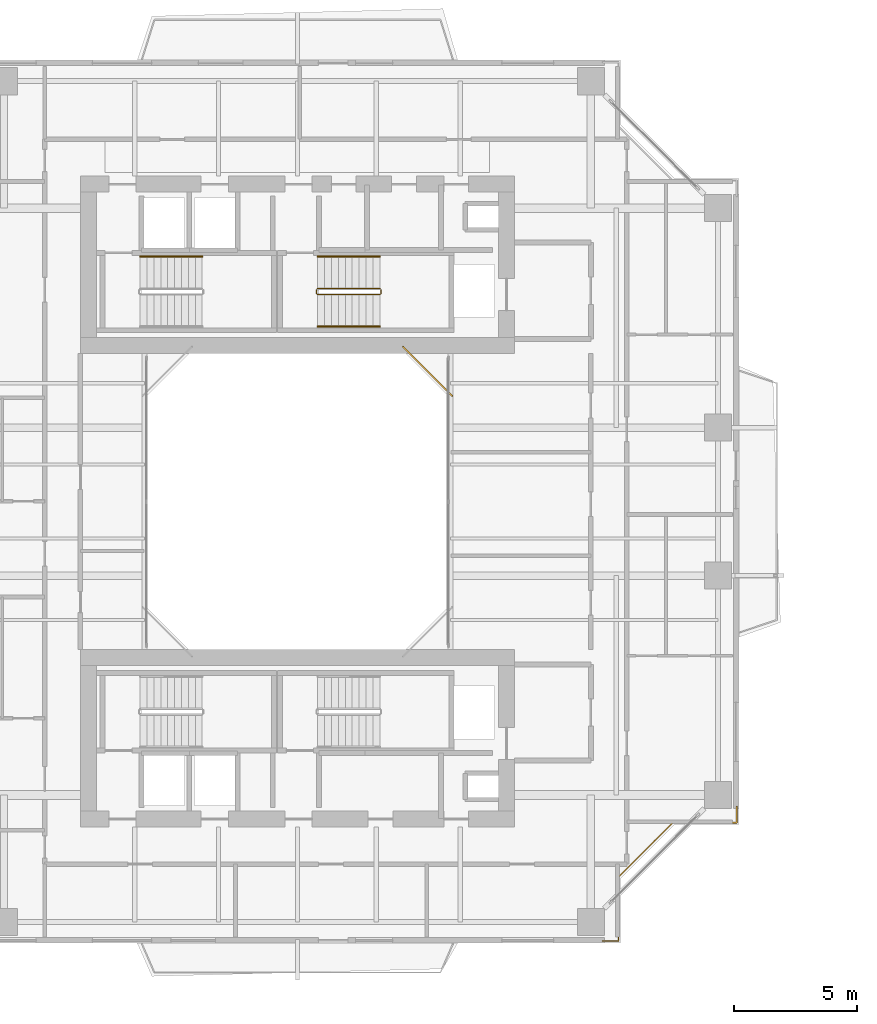
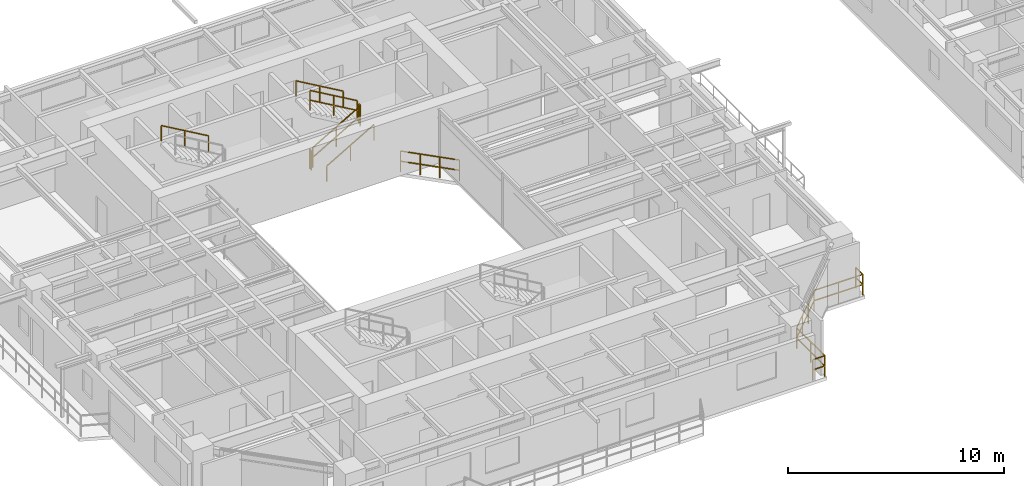
# One storey, part 22 of 24: 9 railings.
"""IFC4 building model written with IfcOpenShell, lengths in metres."""

from ifc_helpers import new_model, si_unit, direction, frame, origin, origin_2d, place, context, subcontext, project, spatial, rectangle, extrude, material, type_object, element, save


model = new_model("IFC4")

# Units and contexts
model_context = context("Model", 3, precision=1e-05, world=origin(), true_north=direction((0.0, 1.0)))
body_context = subcontext(model_context, "Body", "Model", "MODEL_VIEW")
ifc_project = project(units=[si_unit("LENGTHUNIT", "METRE"), si_unit("AREAUNIT", "SQUARE_METRE"), si_unit("VOLUMEUNIT", "CUBIC_METRE"), si_unit("PLANEANGLEUNIT", "RADIAN"), si_unit("MASSUNIT", "GRAM", prefix="KILO"), si_unit("THERMODYNAMICTEMPERATUREUNIT", "KELVIN"), si_unit("POWERUNIT", "WATT")], contexts=[model_context])

# Site, building, storey
site_placement = place(None, origin())
site = spatial("IfcSite", under=ifc_project, at=site_placement, CompositionType="ELEMENT")
building_placement = place(site_placement, origin())
building = spatial("IfcBuilding", under=site, at=building_placement, Name="Qiaomeng Ring Towers", CompositionType="ELEMENT")
storey_placement = place(building_placement, frame((0.0, 0.0, 106.75)))
storey = spatial("IfcBuildingStorey", under=building, at=storey_placement, Name="L30", CompositionType="ELEMENT", Elevation=106.75)

# Railings
ifc_material_1 = material(Name="Low-E pale-green laminated safety glass", Category="glass")
railing_type_1 = type_object("IfcRailingType", Name="ARC-RL-BAL1", PredefinedType="BALUSTRADE", material=ifc_material_1)
railing_1_placement = place(storey_placement, frame((25.280029296875, 27.280029296875, 0.0)))
element("IfcRailing", 1, at=railing_1_placement, inside=storey, type_object=railing_type_1, Name="L30 Balustrade ARC-BAL-WELL1-L30-2", PredefinedType="BALUSTRADE", context=body_context, shape_type="SweptSolid", body=[
    extrude(rectangle(XDim=0.048095703125, YDim=0.048095703125, at=origin_2d()), frame((0.0, 0.0, 1.17578125), z_axis=(-0.707106781187, 0.707106781187, 0.0), x_axis=(-0.707106781187, -0.707106781187, 0.0)), (0.0, 0.0, 1.0), 2.828369140625),
    extrude(rectangle(XDim=0.048095703125, YDim=0.048095703125, at=origin_2d()), frame((0.0, 0.0, 0.60009765625), z_axis=(-0.707106781187, 0.707106781187, 0.0), x_axis=(-0.707106781187, -0.707106781187, 0.0)), (0.0, 0.0, 1.0), 2.828369140625),
    extrude(rectangle(XDim=0.0419921875, YDim=0.0419921875, at=origin_2d()), origin(), (0.0, 0.0, 1.0), 1.15185546875),
    extrude(rectangle(XDim=0.0419921875, YDim=0.0419921875, at=origin_2d()), frame((-0.666748046875, 0.666748046875, 0.0)), (0.0, 0.0, 1.0), 1.15185546875),
    extrude(rectangle(XDim=0.0419921875, YDim=0.0419921875, at=origin_2d()), frame((-1.333251953125, 1.333251953125, 0.0)), (0.0, 0.0, 1.0), 1.15185546875),
    extrude(rectangle(XDim=0.0419921875, YDim=0.0419921875, at=origin_2d()), frame((-2.0, 2.0, 0.0)), (0.0, 0.0, 1.0), 1.15185546875),
])
railing_2_placement = place(storey_placement, frame((31.3701171875, 5.179931640625, 0.0)))
element("IfcRailing", 2, at=railing_2_placement, inside=storey, type_object=railing_type_1, Name="L30 Balustrade ARC-BAL-NOTCH1-L30-SE", PredefinedType="BALUSTRADE", context=body_context, shape_type="SweptSolid", body=[
    extrude(rectangle(XDim=0.048095703125, YDim=0.048095703125, at=origin_2d()), frame((0.0, 0.0, 1.17578125), z_axis=(1.0, 0.0, 0.0), x_axis=(0.0, 1.0, 0.0)), (0.0, 0.0, 1.0), 0.64990234375),
    extrude(rectangle(XDim=0.048095703125, YDim=0.048095703125, at=origin_2d()), frame((0.0, 0.0, 0.60009765625), z_axis=(1.0, 0.0, 0.0), x_axis=(0.0, 1.0, 0.0)), (0.0, 0.0, 1.0), 0.64990234375),
    extrude(rectangle(XDim=0.048095703125, YDim=0.048095703125, at=origin_2d()), frame((0.64990234375, 0.0, 1.17578125), z_axis=(0.0, 1.0, 0.0), x_axis=(-1.0, 0.0, 0.0)), (0.0, 0.0, 1.0), 2.60009765625),
    extrude(rectangle(XDim=0.048095703125, YDim=0.048095703125, at=origin_2d()), frame((0.64990234375, 0.0, 0.60009765625), z_axis=(0.0, 1.0, 0.0), x_axis=(-1.0, 0.0, 0.0)), (0.0, 0.0, 1.0), 2.60009765625),
    extrude(rectangle(XDim=0.048095703125, YDim=0.048095703125, at=origin_2d()), frame((0.64990234375, 2.60009765625, 1.17578125), z_axis=(0.707106781187, 0.707106781187, 0.0), x_axis=(-0.707106781187, 0.707106781187, 0.0)), (0.0, 0.0, 1.0), 3.111083984375),
    extrude(rectangle(XDim=0.048095703125, YDim=0.048095703125, at=origin_2d()), frame((0.64990234375, 2.60009765625, 0.60009765625), z_axis=(0.707106781187, 0.707106781187, 0.0), x_axis=(-0.707106781187, 0.707106781187, 0.0)), (0.0, 0.0, 1.0), 3.111083984375),
    extrude(rectangle(XDim=0.048095703125, YDim=0.048095703125, at=origin_2d()), frame((2.849853515625, 4.800048828125, 1.17578125), z_axis=(1.0, 0.0, 0.0), x_axis=(0.0, 1.0, 0.0)), (0.0, 0.0, 1.0), 2.60009765625),
    extrude(rectangle(XDim=0.048095703125, YDim=0.048095703125, at=origin_2d()), frame((2.849853515625, 4.800048828125, 0.60009765625), z_axis=(1.0, 0.0, 0.0), x_axis=(0.0, 1.0, 0.0)), (0.0, 0.0, 1.0), 2.60009765625),
    extrude(rectangle(XDim=0.048095703125, YDim=0.048095703125, at=origin_2d()), frame((5.449951171875, 4.800048828125, 1.17578125), z_axis=(0.0, 1.0, 0.0), x_axis=(-1.0, 0.0, 0.0)), (0.0, 0.0, 1.0), 0.64990234375),
    extrude(rectangle(XDim=0.048095703125, YDim=0.048095703125, at=origin_2d()), frame((5.449951171875, 4.800048828125, 0.60009765625), z_axis=(0.0, 1.0, 0.0), x_axis=(-1.0, 0.0, 0.0)), (0.0, 0.0, 1.0), 0.64990234375),
    extrude(rectangle(XDim=0.0419921875, YDim=0.0419921875, at=origin_2d()), origin(), (0.0, 0.0, 1.0), 1.15185546875),
    extrude(rectangle(XDim=0.0419921875, YDim=0.0419921875, at=origin_2d()), frame((0.64990234375, 0.0, 0.0)), (0.0, 0.0, 1.0), 1.15185546875),
    extrude(rectangle(XDim=0.0419921875, YDim=0.0419921875, at=origin_2d()), frame((0.64990234375, 1.300048828125, 0.0)), (0.0, 0.0, 1.0), 1.15185546875),
    extrude(rectangle(XDim=0.0419921875, YDim=0.0419921875, at=origin_2d()), frame((0.64990234375, 2.60009765625, 0.0)), (0.0, 0.0, 1.0), 1.15185546875),
    extrude(rectangle(XDim=0.0419921875, YDim=0.0419921875, at=origin_2d()), frame((1.38330078125, 3.33349609375, 0.0)), (0.0, 0.0, 1.0), 1.15185546875),
    extrude(rectangle(XDim=0.0419921875, YDim=0.0419921875, at=origin_2d()), frame((2.116455078125, 4.066650390625, 0.0)), (0.0, 0.0, 1.0), 1.15185546875),
    extrude(rectangle(XDim=0.0419921875, YDim=0.0419921875, at=origin_2d()), frame((2.849853515625, 4.800048828125, 0.0)), (0.0, 0.0, 1.0), 1.15185546875),
    extrude(rectangle(XDim=0.0419921875, YDim=0.0419921875, at=origin_2d()), frame((4.14990234375, 4.800048828125, 0.0)), (0.0, 0.0, 1.0), 1.15185546875),
    extrude(rectangle(XDim=0.0419921875, YDim=0.0419921875, at=origin_2d()), frame((5.449951171875, 4.800048828125, 0.0)), (0.0, 0.0, 1.0), 1.15185546875),
    extrude(rectangle(XDim=0.0419921875, YDim=0.0419921875, at=origin_2d()), frame((5.449951171875, 5.449951171875, 0.0)), (0.0, 0.0, 1.0), 1.15185546875),
])
ifc_material_2 = material(Name="Galvanised steel", Category="steel")
railing_type_2 = type_object("IfcRailingType", Name="ARC-RL-GUARD", PredefinedType="GUARDRAIL", material=ifc_material_2)
railing_3_placement = place(storey_placement, frame((19.820068359375, 31.39990234375, 0.16259765625)))
element("IfcRailing", 3, at=railing_3_placement, inside=storey, type_object=railing_type_2, Name="L30 ST2 stair guard 1", PredefinedType="GUARDRAIL", context=body_context, shape_type="SweptSolid", body=[
    extrude(rectangle(XDim=0.048095703125, YDim=0.048095703125, at=origin_2d()), frame((0.0, 0.0, 1.1259765625), z_axis=(0.864913338283, 0.0, 0.50192122615), x_axis=(0.0, 1.0, 0.0)), (0.0, 0.0, 1.0), 2.91357421875),
    extrude(rectangle(XDim=0.048095703125, YDim=0.048095703125, at=origin_2d()), frame((0.0, 0.0, 0.574951171875), z_axis=(0.864913338283, 0.0, 0.50192122615), x_axis=(0.0, 1.0, 0.0)), (0.0, 0.0, 1.0), 2.91357421875),
    extrude(rectangle(XDim=0.0419921875, YDim=0.0419921875, at=origin_2d()), origin(), (0.0, 0.0, 1.0), 1.101806640625),
    extrude(rectangle(XDim=0.0419921875, YDim=0.0419921875, at=origin_2d()), frame((1.260009765625, 0.0, 0.731201171875)), (0.0, 0.0, 1.0), 1.101806640625),
    extrude(rectangle(XDim=0.0419921875, YDim=0.0419921875, at=origin_2d()), frame((2.52001953125, 0.0, 1.46240234375)), (0.0, 0.0, 1.0), 1.101806640625),
])
railing_4_placement = place(storey_placement, frame((22.389892578125, 31.449951171875, 1.625)))
element("IfcRailing", 4, at=railing_4_placement, inside=storey, type_object=railing_type_2, Name="L30 ST2 stair guard 2", PredefinedType="GUARDRAIL", context=body_context, shape_type="SweptSolid", body=[
    extrude(rectangle(XDim=0.048095703125, YDim=0.048095703125, at=origin_2d()), frame((0.0, 0.0, 1.1259765625), z_axis=(0.0, 1.0, 0.0), x_axis=(-1.0, 0.0, 0.0)), (0.0, 0.0, 1.0), 0.14013671875),
    extrude(rectangle(XDim=0.048095703125, YDim=0.048095703125, at=origin_2d()), frame((0.0, 0.0, 0.574951171875), z_axis=(0.0, 1.0, 0.0), x_axis=(-1.0, 0.0, 0.0)), (0.0, 0.0, 1.0), 0.14013671875),
    extrude(rectangle(XDim=0.0419921875, YDim=0.0419921875, at=origin_2d()), origin(), (0.0, 0.0, 1.0), 1.101806640625),
    extrude(rectangle(XDim=0.0419921875, YDim=0.0419921875, at=origin_2d()), frame((0.0, 0.14013671875, 0.0)), (0.0, 0.0, 1.0), 1.101806640625),
])
railing_5_placement = place(storey_placement, frame((22.340087890625, 31.639892578125, 1.78759765625)))
element("IfcRailing", 5, at=railing_5_placement, inside=storey, type_object=railing_type_2, Name="L30 ST2 stair guard 3", PredefinedType="GUARDRAIL", context=body_context, shape_type="SweptSolid", body=[
    extrude(rectangle(XDim=0.048095703125, YDim=0.048095703125, at=origin_2d()), frame((0.0, 0.0, 1.1259765625), z_axis=(-0.864913338283, 0.0, 0.50192122615), x_axis=(0.0, -1.0, 0.0)), (0.0, 0.0, 1.0), 2.91357421875),
    extrude(rectangle(XDim=0.048095703125, YDim=0.048095703125, at=origin_2d()), frame((0.0, 0.0, 0.574951171875), z_axis=(-0.864913338283, 0.0, 0.50192122615), x_axis=(0.0, -1.0, 0.0)), (0.0, 0.0, 1.0), 2.91357421875),
    extrude(rectangle(XDim=0.0419921875, YDim=0.0419921875, at=origin_2d()), origin(), (0.0, 0.0, 1.0), 1.101806640625),
    extrude(rectangle(XDim=0.0419921875, YDim=0.0419921875, at=origin_2d()), frame((-1.260009765625, 0.0, 0.731201171875)), (0.0, 0.0, 1.0), 1.101806640625),
    extrude(rectangle(XDim=0.0419921875, YDim=0.0419921875, at=origin_2d()), frame((-2.52001953125, 0.0, 1.46240234375)), (0.0, 0.0, 1.0), 1.101806640625),
])
railing_6_placement = place(storey_placement, frame((19.77001953125, 31.449951171875, 0.0)))
element("IfcRailing", 6, at=railing_6_placement, inside=storey, type_object=railing_type_2, Name="L30 ST2 stair guard 4", PredefinedType="GUARDRAIL", context=body_context, shape_type="SweptSolid", body=[
    extrude(rectangle(XDim=0.048095703125, YDim=0.048095703125, at=origin_2d()), frame((0.0, 0.0, 1.1259765625), z_axis=(0.0, 1.0, 0.0), x_axis=(-1.0, 0.0, 0.0)), (0.0, 0.0, 1.0), 0.14013671875),
    extrude(rectangle(XDim=0.048095703125, YDim=0.048095703125, at=origin_2d()), frame((0.0, 0.0, 0.574951171875), z_axis=(0.0, 1.0, 0.0), x_axis=(-1.0, 0.0, 0.0)), (0.0, 0.0, 1.0), 0.14013671875),
    extrude(rectangle(XDim=0.0419921875, YDim=0.0419921875, at=origin_2d()), origin(), (0.0, 0.0, 1.0), 1.101806640625),
    extrude(rectangle(XDim=0.0419921875, YDim=0.0419921875, at=origin_2d()), frame((0.0, 0.14013671875, 0.0)), (0.0, 0.0, 1.0), 1.101806640625),
])
ifc_material_3 = material(Name="Stainless steel 316", Category="steel")
railing_type_3 = type_object("IfcRailingType", Name="ARC-RL-HAND", PredefinedType="HANDRAIL", material=ifc_material_3)
railing_7_placement = place(storey_placement, frame((15.139892578125, 32.93994140625, 1.78759765625)))
element("IfcRailing", 7, at=railing_7_placement, inside=storey, type_object=railing_type_3, Name="L30 ST1 stair handrail 2", PredefinedType="HANDRAIL", context=body_context, shape_type="SweptSolid", body=[
    extrude(rectangle(XDim=0.048095703125, YDim=0.048095703125, at=origin_2d()), frame((0.0, 0.0, 0.8759765625), z_axis=(-0.864892226395, 0.0, 0.501957604506), x_axis=(0.0, -1.0, 0.0)), (0.0, 0.0, 1.0), 2.913330078125),
    extrude(rectangle(XDim=0.0419921875, YDim=0.0419921875, at=origin_2d()), origin(), (0.0, 0.0, 1.0), 0.851806640625),
    extrude(rectangle(XDim=0.0419921875, YDim=0.0419921875, at=origin_2d()), frame((-1.259765625, 0.0, 0.731201171875)), (0.0, 0.0, 1.0), 0.851806640625),
    extrude(rectangle(XDim=0.0419921875, YDim=0.0419921875, at=origin_2d()), frame((-2.519775390625, 0.0, 1.46240234375)), (0.0, 0.0, 1.0), 0.851806640625),
])
railing_8_placement = place(storey_placement, frame((19.820068359375, 30.10009765625, 0.16259765625)))
element("IfcRailing", 8, at=railing_8_placement, inside=storey, type_object=railing_type_3, Name="L30 ST2 stair handrail 1", PredefinedType="HANDRAIL", context=body_context, shape_type="SweptSolid", body=[
    extrude(rectangle(XDim=0.048095703125, YDim=0.048095703125, at=origin_2d()), frame((0.0, 0.0, 0.8759765625), z_axis=(0.864913338283, 0.0, 0.50192122615), x_axis=(0.0, 1.0, 0.0)), (0.0, 0.0, 1.0), 2.91357421875),
    extrude(rectangle(XDim=0.0419921875, YDim=0.0419921875, at=origin_2d()), origin(), (0.0, 0.0, 1.0), 0.851806640625),
    extrude(rectangle(XDim=0.0419921875, YDim=0.0419921875, at=origin_2d()), frame((1.260009765625, 0.0, 0.731201171875)), (0.0, 0.0, 1.0), 0.851806640625),
    extrude(rectangle(XDim=0.0419921875, YDim=0.0419921875, at=origin_2d()), frame((2.52001953125, 0.0, 1.46240234375)), (0.0, 0.0, 1.0), 0.851806640625),
])
railing_9_placement = place(storey_placement, frame((22.340087890625, 32.93994140625, 1.78759765625)))
element("IfcRailing", 9, at=railing_9_placement, inside=storey, type_object=railing_type_3, Name="L30 ST2 stair handrail 2", PredefinedType="HANDRAIL", context=body_context, shape_type="SweptSolid", body=[
    extrude(rectangle(XDim=0.048095703125, YDim=0.048095703125, at=origin_2d()), frame((0.0, 0.0, 0.8759765625), z_axis=(-0.864913338283, 0.0, 0.50192122615), x_axis=(0.0, -1.0, 0.0)), (0.0, 0.0, 1.0), 2.91357421875),
    extrude(rectangle(XDim=0.0419921875, YDim=0.0419921875, at=origin_2d()), origin(), (0.0, 0.0, 1.0), 0.851806640625),
    extrude(rectangle(XDim=0.0419921875, YDim=0.0419921875, at=origin_2d()), frame((-1.260009765625, 0.0, 0.731201171875)), (0.0, 0.0, 1.0), 0.851806640625),
    extrude(rectangle(XDim=0.0419921875, YDim=0.0419921875, at=origin_2d()), frame((-2.52001953125, 0.0, 1.46240234375)), (0.0, 0.0, 1.0), 0.851806640625),
])

save(model, "model.ifc")
